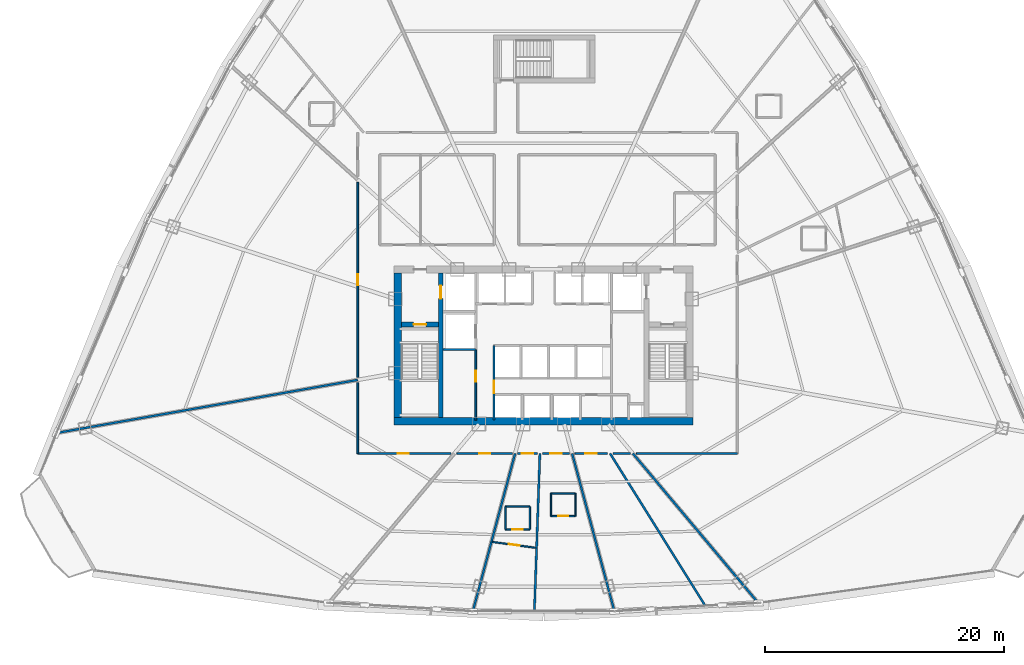
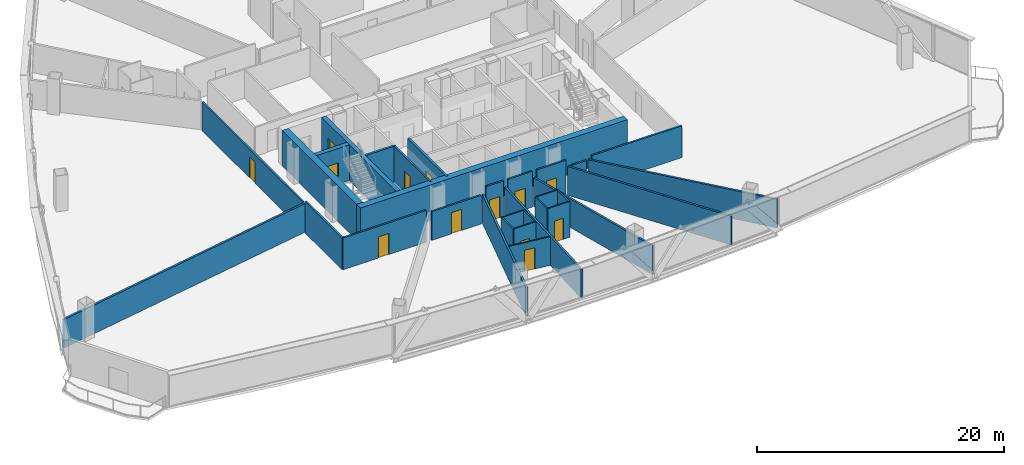
# One storey, part 30 of 38: 31 walls, 13 doors, 13 openings.
"""IFC4 building model written with IfcOpenShell, lengths in metres."""

from ifc_helpers import new_model, si_unit, direction, frame, frame_2d, origin, origin_with_axes, place, context, subcontext, project, spatial, rectangle, extrude, source, transform, mapped, material, layer, layer_set, type_object, element, fill, save


model = new_model("IFC4")

# Units and contexts
model_context = context("Model", 3, precision=1e-05, world=origin(), true_north=direction((0.0, 1.0)))
body_context = subcontext(model_context, "Body", "Model", "MODEL_VIEW")
ifc_project = project(units=[si_unit("LENGTHUNIT", "METRE"), si_unit("AREAUNIT", "SQUARE_METRE"), si_unit("VOLUMEUNIT", "CUBIC_METRE"), si_unit("PLANEANGLEUNIT", "RADIAN"), si_unit("MASSUNIT", "GRAM", prefix="KILO"), si_unit("THERMODYNAMICTEMPERATUREUNIT", "KELVIN"), si_unit("POWERUNIT", "WATT")], contexts=[model_context])

# Site, building, storey
site_placement = place(None, origin())
site = spatial("IfcSite", under=ifc_project, at=site_placement, CompositionType="ELEMENT")
building_placement = place(site_placement, origin())
building = spatial("IfcBuilding", under=site, at=building_placement, Name="Yunzhuo Pagoda Commons", CompositionType="ELEMENT")
storey_placement = place(building_placement, frame((0.0, 0.0, 81.179931640625)))
storey = spatial("IfcBuildingStorey", under=building, at=storey_placement, Name="L20", CompositionType="ELEMENT", Elevation=81.179931640625)

# Walls
ifc_material_1 = material(Name="Concrete C60", Category="concrete")
ifc_layer_1 = layer(ifc_material_1, 0.60009765625)
ifc_layer_set_1 = layer_set([ifc_layer_1], Name="Concrete C60")
wall_type_1 = type_object("IfcWallType", Name="W-C02 Mid Core Shear Wall 600", PredefinedType="SHEAR", material=ifc_layer_set_1)
wall_1_placement = place(storey_placement, frame((35.5, 27.5, 0.0), z_axis=(0.0, 0.0, 1.0), x_axis=(1.0, 0.0, 0.0)))
element("IfcWall", 1, at=wall_1_placement, inside=storey, type_object=wall_type_1, Name="L20 core shear wall S", PredefinedType="SHEAR", context=body_context, shape_type="SweptSolid", body=[
    extrude(rectangle(XDim=25.0, YDim=0.60009765625, at=frame_2d((12.5, 0.0))), origin(), (0.0, 0.0, 1.0), 3.5400390625),
])
wall_2_placement = place(storey_placement, frame((35.800048828125, 27.800048828125, 0.0), z_axis=(0.0, 0.0, 1.0), x_axis=(0.0, 1.0, 0.0)))
element("IfcWall", 2, at=wall_2_placement, inside=storey, type_object=wall_type_1, Name="L20 core shear wall W", PredefinedType="SHEAR", context=body_context, shape_type="SweptSolid", body=[
    extrude(rectangle(XDim=12.099853515625, YDim=0.60009765625, at=frame_2d((6.0498046875, 0.0))), origin(), (0.0, 0.0, 1.0), 3.5400390625),
])

# Wall, opening, door
ifc_material_2 = material(Name="Gypsum plasterboard on acoustic stud")
ifc_layer_2 = layer(ifc_material_2, 0.159912109375)
ifc_layer_set_2 = layer_set([ifc_layer_2], Name="Gypsum plasterboard on acoustic stud")
wall_type_2 = type_object("IfcWallType", Name="W-COR1 Tower Rated Corridor Wall 160", PredefinedType="PARTITIONING", material=ifc_layer_set_2)
wall_3_placement = place(storey_placement, frame((42.320068359375, 27.60009765625, 0.0), z_axis=(0.0, 0.0, 1.0), x_axis=(0.0, 1.0, 0.0)))
wall_3 = element("IfcWall", 3, at=wall_3_placement, inside=storey, type_object=wall_type_2, Name="L20 interior wall IW-L20-CSWE", PredefinedType="PARTITIONING", context=body_context, shape_type="SweptSolid", body=[
    extrude(rectangle(XDim=5.89990234375, YDim=0.159912109375, at=frame_2d((2.949951171875, 0.0))), origin(), (0.0, 0.0, 1.0), 3.5400390625),
])
opening_1_placement = place(wall_3_placement, frame((3.199951171875, 0.0, 0.0)))
opening_1 = element("IfcOpeningElement", 4, at=opening_1_placement, cuts=wall_3, Name="Opening D-11", PredefinedType="OPENING", context=body_context, shape_type="SweptSolid", body=[
    extrude(rectangle(XDim=0.93994140625, YDim=2.10009765625, at=frame_2d((0.469970703125, 1.050048828125))), frame((0.0, 0.08984375, 0.0), z_axis=(0.0, -1.0, 0.0), x_axis=(1.0, 0.0, 0.0)), (0.0, 0.0, 1.0), 0.179931640625),
])
ifc_material_3 = material(Name="Galvanized fire-resisting metal leaf")
door_type_1 = type_object("IfcDoorType", Name="D-11 Accessible Washroom Fire Door 940x2100", OperationType="NOTDEFINED", PredefinedType="DOOR", material=ifc_material_3)
shared_shape_1 = source(origin(), body_context, "Body", "SweptSolid", [
    extrude(rectangle(XDim=0.93994140625, YDim=2.10009765625, at=frame_2d((0.469970703125, 1.050048828125))), frame((0.0, 0.02490234375, 0.0), z_axis=(0.0, -1.0, 0.0), x_axis=(1.0, 0.0, 0.0)), (0.0, 0.0, 1.0), 0.050048828125),
])
door_1_placement = place(opening_1_placement, origin_with_axes())
door_1 = element("IfcDoor", 5, at=door_1_placement, inside=storey, type_object=door_type_1, Name="L20 core WC door", OperationType="SINGLE_SWING_LEFT", OverallHeight=2.10009765625, OverallWidth=0.93994140625, PredefinedType="DOOR", context=body_context, shape_type="MappedRepresentation", body=[
    mapped(shared_shape_1, transform((0.0, 0.0, 0.0), scale=1.0)),
])
fill(opening_1, door_1)

# Wall
wall_4_placement = place(storey_placement, frame((32.449951171875, 24.800048828125, 0.0), z_axis=(0.0, 0.0, 1.0), x_axis=(0.0, 1.0, 0.0)))
element("IfcWall", 6, at=wall_4_placement, inside=storey, type_object=wall_type_2, Name="L20 interior wall IW-L20-CWL01", PredefinedType="PARTITIONING", context=body_context, shape_type="SweptSolid", body=[
    extrude(rectangle(XDim=5.9345703125, YDim=0.159912109375, at=frame_2d((2.96728515625, 0.0))), origin(), (0.0, 0.0, 1.0), 3.14013671875),
])

# Wall, opening, door
wall_5_placement = place(storey_placement, frame((32.449951171875, 31.177978515625, 0.0), z_axis=(0.0, 0.0, 1.0), x_axis=(0.0, 1.0, 0.0)))
wall_5 = element("IfcWall", 7, at=wall_5_placement, inside=storey, type_object=wall_type_2, Name="L20 interior wall IW-L20-CWL02", PredefinedType="PARTITIONING", context=body_context, shape_type="SweptSolid", body=[
    extrude(rectangle(XDim=16.3037109375, YDim=0.159912109375, at=frame_2d((8.15185546875, 0.0))), origin(), (0.0, 0.0, 1.0), 2.840087890625),
])
opening_2_placement = place(wall_5_placement, frame((7.6767578125, 0.0, 0.0)))
opening_2 = element("IfcOpeningElement", 8, at=opening_2_placement, cuts=wall_5, Name="Opening D-06", PredefinedType="OPENING", context=body_context, shape_type="SweptSolid", body=[
    extrude(rectangle(XDim=0.949951171875, YDim=2.10009765625, at=frame_2d((0.47509765625, 1.050048828125))), frame((0.0, 0.08984375, 0.0), z_axis=(0.0, -1.0, 0.0), x_axis=(1.0, 0.0, 0.0)), (0.0, 0.0, 1.0), 0.179931640625),
])
door_type_2 = type_object("IfcDoorType", Name="D-06 Co-Living Suite Entrance Fire Door 950x2100", OperationType="NOTDEFINED", PredefinedType="DOOR", material=ifc_material_3)
shared_shape_2 = source(origin(), body_context, "Body", "SweptSolid", [
    extrude(rectangle(XDim=0.949951171875, YDim=2.10009765625, at=frame_2d((0.47509765625, 1.050048828125))), frame((0.0, 0.02490234375, 0.0), z_axis=(0.0, -1.0, 0.0), x_axis=(1.0, 0.0, 0.0)), (0.0, 0.0, 1.0), 0.050048828125),
])
door_2_placement = place(opening_2_placement, origin_with_axes())
door_2 = element("IfcDoor", 9, at=door_2_placement, inside=storey, type_object=door_type_2, Name="L20 Shared Resident Kitchen and Pantry door", OperationType="SINGLE_SWING_RIGHT", OverallHeight=2.10009765625, OverallWidth=0.949951171875, PredefinedType="DOOR", context=body_context, shape_type="MappedRepresentation", body=[
    mapped(shared_shape_2, transform((0.0, 0.0, 0.0), scale=1.0)),
])
fill(opening_2, door_2)

# Walls
wall_6_placement = place(storey_placement, frame((64.199951171875, 24.800048828125, 0.0), z_axis=(0.0, 0.0, 1.0), x_axis=(-1.0, 0.0, 0.0)))
element("IfcWall", 10, at=wall_6_placement, inside=storey, type_object=wall_type_2, Name="L20 interior wall IW-L20-CWL15", PredefinedType="PARTITIONING", context=body_context, shape_type="SweptSolid", body=[
    extrude(rectangle(XDim=8.44482421875, YDim=0.159912109375, at=frame_2d((4.222412109375, 0.0))), origin(), (0.0, 0.0, 1.0), 3.14013671875),
])
wall_7_placement = place(storey_placement, frame((55.248046875, 24.800048828125, 0.0), z_axis=(0.0, 0.0, 1.0), x_axis=(-1.0, 0.0, 0.0)))
element("IfcWall", 11, at=wall_7_placement, inside=storey, type_object=wall_type_2, Name="L20 interior wall IW-L20-CWL16", PredefinedType="PARTITIONING", context=body_context, shape_type="SweptSolid", body=[
    extrude(rectangle(XDim=1.42724609375, YDim=0.159912109375, at=frame_2d((0.713623046875, 0.0))), origin(), (0.0, 0.0, 1.0), 2.840087890625),
])

# Wall, opening, door
wall_8_placement = place(storey_placement, frame((53.341552734375, 24.800048828125, 0.0), z_axis=(0.0, 0.0, 1.0), x_axis=(-1.0, 0.0, 0.0)))
wall_8 = element("IfcWall", 12, at=wall_8_placement, inside=storey, type_object=wall_type_2, Name="L20 interior wall IW-L20-CWL17", PredefinedType="PARTITIONING", context=body_context, shape_type="SweptSolid", body=[
    extrude(rectangle(XDim=2.72900390625, YDim=0.159912109375, at=frame_2d((1.364501953125, 0.0))), origin(), (0.0, 0.0, 1.0), 3.5400390625),
])
opening_3_placement = place(wall_8_placement, frame((0.8935546875, 0.0, 0.0)))
opening_3 = element("IfcOpeningElement", 13, at=opening_3_placement, cuts=wall_8, Name="Opening D-06", PredefinedType="OPENING", context=body_context, shape_type="SweptSolid", body=[
    extrude(rectangle(XDim=0.949951171875, YDim=2.10009765625, at=frame_2d((0.47509765625, 1.050048828125))), frame((0.0, 0.08984375, 0.0), z_axis=(0.0, -1.0, 0.0), x_axis=(1.0, 0.0, 0.0)), (0.0, 0.0, 1.0), 0.179931640625),
])
door_3_placement = place(opening_3_placement, origin_with_axes())
door_3 = element("IfcDoor", 14, at=door_3_placement, inside=storey, type_object=door_type_2, Name="L20 unit 13 entrance door", OperationType="SINGLE_SWING_LEFT", OverallHeight=2.10009765625, OverallWidth=0.949951171875, PredefinedType="DOOR", context=body_context, shape_type="MappedRepresentation", body=[
    mapped(shared_shape_2, transform((0.0, 0.0, 0.0), scale=1.0)),
])
fill(opening_3, door_3)

wall_9_placement = place(storey_placement, frame((50.164794921875, 24.800048828125, 0.0), z_axis=(0.0, 0.0, 1.0), x_axis=(-1.0, 0.0, 0.0)))
wall_9 = element("IfcWall", 15, at=wall_9_placement, inside=storey, type_object=wall_type_2, Name="L20 interior wall IW-L20-CWL18", PredefinedType="PARTITIONING", context=body_context, shape_type="SweptSolid", body=[
    extrude(rectangle(XDim=2.255859375, YDim=0.159912109375, at=frame_2d((1.1279296875, 0.0))), origin(), (0.0, 0.0, 1.0), 3.5400390625),
])
opening_4_placement = place(wall_9_placement, frame((0.65283203125, 0.0, 0.0)))
opening_4 = element("IfcOpeningElement", 16, at=opening_4_placement, cuts=wall_9, Name="Opening D-06", PredefinedType="OPENING", context=body_context, shape_type="SweptSolid", body=[
    extrude(rectangle(XDim=0.949951171875, YDim=2.10009765625, at=frame_2d((0.47509765625, 1.050048828125))), frame((0.0, 0.08984375, 0.0), z_axis=(0.0, -1.0, 0.0), x_axis=(1.0, 0.0, 0.0)), (0.0, 0.0, 1.0), 0.179931640625),
])
door_4_placement = place(opening_4_placement, origin_with_axes())
door_4 = element("IfcDoor", 17, at=door_4_placement, inside=storey, type_object=door_type_2, Name="L20 unit 12 entrance door", OperationType="SINGLE_SWING_RIGHT", OverallHeight=2.10009765625, OverallWidth=0.949951171875, PredefinedType="DOOR", context=body_context, shape_type="MappedRepresentation", body=[
    mapped(shared_shape_2, transform((0.0, 0.0, 0.0), scale=1.0)),
])
fill(opening_4, door_4)

wall_10_placement = place(storey_placement, frame((47.468994140625, 24.800048828125, 0.0), z_axis=(0.0, 0.0, 1.0), x_axis=(-1.0, 0.0, 0.0)))
wall_10 = element("IfcWall", 18, at=wall_10_placement, inside=storey, type_object=wall_type_2, Name="L20 interior wall IW-L20-CWL19", PredefinedType="PARTITIONING", context=body_context, shape_type="SweptSolid", body=[
    extrude(rectangle(XDim=1.6337890625, YDim=0.159912109375, at=frame_2d((0.81689453125, 0.0))), origin(), (0.0, 0.0, 1.0), 3.5400390625),
])
opening_5_placement = place(wall_10_placement, frame((0.341796875, 0.0, 0.0)))
opening_5 = element("IfcOpeningElement", 19, at=opening_5_placement, cuts=wall_10, Name="Opening D-06", PredefinedType="OPENING", context=body_context, shape_type="SweptSolid", body=[
    extrude(rectangle(XDim=0.949951171875, YDim=2.10009765625, at=frame_2d((0.47509765625, 1.050048828125))), frame((0.0, 0.08984375, 0.0), z_axis=(0.0, -1.0, 0.0), x_axis=(1.0, 0.0, 0.0)), (0.0, 0.0, 1.0), 0.179931640625),
])
door_5_placement = place(opening_5_placement, origin_with_axes())
door_5 = element("IfcDoor", 20, at=door_5_placement, inside=storey, type_object=door_type_2, Name="L20 unit 11 entrance door", OperationType="SINGLE_SWING_LEFT", OverallHeight=2.10009765625, OverallWidth=0.949951171875, PredefinedType="DOOR", context=body_context, shape_type="MappedRepresentation", body=[
    mapped(shared_shape_2, transform((0.0, 0.0, 0.0), scale=1.0)),
])
fill(opening_5, door_5)

wall_11_placement = place(storey_placement, frame((45.387451171875, 24.800048828125, 0.0), z_axis=(0.0, 0.0, 1.0), x_axis=(-1.0, 0.0, 0.0)))
wall_11 = element("IfcWall", 21, at=wall_11_placement, inside=storey, type_object=wall_type_2, Name="L20 interior wall IW-L20-CWL20", PredefinedType="PARTITIONING", context=body_context, shape_type="SweptSolid", body=[
    extrude(rectangle(XDim=4.635498046875, YDim=0.159912109375, at=frame_2d((2.31787109375, 0.0))), origin(), (0.0, 0.0, 1.0), 2.840087890625),
])
opening_6_placement = place(wall_11_placement, frame((1.8388671875, 0.0, 0.0)))
opening_6 = element("IfcOpeningElement", 22, at=opening_6_placement, cuts=wall_11, Name="Opening D-06", PredefinedType="OPENING", context=body_context, shape_type="SweptSolid", body=[
    extrude(rectangle(XDim=0.949951171875, YDim=2.10009765625, at=frame_2d((0.47509765625, 1.050048828125))), frame((0.0, 0.08984375, 0.0), z_axis=(0.0, -1.0, 0.0), x_axis=(1.0, 0.0, 0.0)), (0.0, 0.0, 1.0), 0.179931640625),
])
door_6_placement = place(opening_6_placement, origin_with_axes())
door_6 = element("IfcDoor", 23, at=door_6_placement, inside=storey, type_object=door_type_2, Name="L20 unit 10 entrance door", OperationType="SINGLE_SWING_RIGHT", OverallHeight=2.10009765625, OverallWidth=0.949951171875, PredefinedType="DOOR", context=body_context, shape_type="MappedRepresentation", body=[
    mapped(shared_shape_2, transform((0.0, 0.0, 0.0), scale=1.0)),
])
fill(opening_6, door_6)

wall_12_placement = place(storey_placement, frame((40.244873046875, 24.800048828125, 0.0), z_axis=(0.0, 0.0, 1.0), x_axis=(-1.0, 0.0, 0.0)))
wall_12 = element("IfcWall", 24, at=wall_12_placement, inside=storey, type_object=wall_type_2, Name="L20 interior wall IW-L20-CWL21", PredefinedType="PARTITIONING", context=body_context, shape_type="SweptSolid", body=[
    extrude(rectangle(XDim=7.794921875, YDim=0.159912109375, at=frame_2d((3.8974609375, 0.0))), origin(), (0.0, 0.0, 1.0), 3.14013671875),
])
opening_7_placement = place(wall_12_placement, frame((3.5087890625, 0.0, 0.0)))
opening_7 = element("IfcOpeningElement", 25, at=opening_7_placement, cuts=wall_12, Name="Opening D-06", PredefinedType="OPENING", context=body_context, shape_type="SweptSolid", body=[
    extrude(rectangle(XDim=0.949951171875, YDim=2.10009765625, at=frame_2d((0.47509765625, 1.050048828125))), frame((0.0, 0.08984375, 0.0), z_axis=(0.0, -1.0, 0.0), x_axis=(1.0, 0.0, 0.0)), (0.0, 0.0, 1.0), 0.179931640625),
])
door_7_placement = place(opening_7_placement, origin_with_axes())
door_7 = element("IfcDoor", 26, at=door_7_placement, inside=storey, type_object=door_type_2, Name="L20 unit 09 entrance door", OperationType="SINGLE_SWING_LEFT", OverallHeight=2.10009765625, OverallWidth=0.949951171875, PredefinedType="DOOR", context=body_context, shape_type="MappedRepresentation", body=[
    mapped(shared_shape_2, transform((0.0, 0.0, 0.0), scale=1.0)),
])
fill(opening_7, door_7)

ifc_layer_3 = layer(ifc_material_2, 0.1201171875)
ifc_layer_set_3 = layer_set([ifc_layer_3], Name="Gypsum plasterboard on acoustic stud")
wall_type_3 = type_object("IfcWallType", Name="W-PRT1 Suite & Bathroom Partition 120", PredefinedType="PARTITIONING", material=ifc_layer_set_3)
wall_13_placement = place(storey_placement, frame((44.7958984375, 18.4609375, 0.0), z_axis=(0.0, 0.0, 1.0), x_axis=(1.0, 0.0, 0.0)))
wall_13 = element("IfcWall", 27, at=wall_13_placement, inside=storey, type_object=wall_type_3, Name="L20 interior wall IW-L20-B11S", PredefinedType="PARTITIONING", context=body_context, shape_type="SweptSolid", body=[
    extrude(rectangle(XDim=2.050048828125, YDim=0.1201171875, at=frame_2d((1.02490234375, 0.0))), origin(), (0.0, 0.0, 1.0), 3.5400390625),
])
opening_8_placement = place(wall_13_placement, frame((0.60009765625, 0.0, 0.0)))
opening_8 = element("IfcOpeningElement", 28, at=opening_8_placement, cuts=wall_13, Name="Opening D-05", PredefinedType="OPENING", context=body_context, shape_type="SweptSolid", body=[
    extrude(rectangle(XDim=0.85009765625, YDim=2.10009765625, at=frame_2d((0.425048828125, 1.050048828125))), frame((0.0, 0.070068359375, 0.0), z_axis=(0.0, -1.0, 0.0), x_axis=(1.0, 0.0, 0.0)), (0.0, 0.0, 1.0), 0.14013671875),
])
ifc_material_4 = material(Name="Powder-coated aluminium and timber acoustic leaf", Category="wood")
door_type_3 = type_object("IfcDoorType", Name="D-05 En-Suite Bathroom Door 850x2100", OperationType="NOTDEFINED", PredefinedType="DOOR", material=ifc_material_4)
shared_shape_3 = source(origin(), body_context, "Body", "SweptSolid", [
    extrude(rectangle(XDim=0.85009765625, YDim=2.10009765625, at=frame_2d((0.425048828125, 1.050048828125))), frame((0.0, 0.02490234375, 0.0), z_axis=(0.0, -1.0, 0.0), x_axis=(1.0, 0.0, 0.0)), (0.0, 0.0, 1.0), 0.050048828125),
])
door_8_placement = place(opening_8_placement, frame((0.85009765625, 0.0, 0.0), z_axis=(0.0, 0.0, 1.0), x_axis=(-1.0, 0.0, 0.0)))
door_8 = element("IfcDoor", 29, at=door_8_placement, inside=storey, type_object=door_type_3, Name="L20 unit 11 bathroom door", OperationType="SINGLE_SWING_LEFT", OverallHeight=2.10009765625, OverallWidth=0.85009765625, PredefinedType="DOOR", context=body_context, shape_type="MappedRepresentation", body=[
    mapped(shared_shape_3, transform((0.0, 0.0, 0.0), scale=1.0)),
])
fill(opening_8, door_8)

# Walls
wall_14_placement = place(storey_placement, frame((46.845947265625, 18.4609375, 0.0), z_axis=(0.0, 0.0, 1.0), x_axis=(0.0, 1.0, 0.0)))
element("IfcWall", 30, at=wall_14_placement, inside=storey, type_object=wall_type_3, Name="L20 interior wall IW-L20-B11E", PredefinedType="PARTITIONING", context=body_context, shape_type="SweptSolid", body=[
    extrude(rectangle(XDim=1.900146484375, YDim=0.1201171875, at=frame_2d((0.9501953125, 0.0))), origin(), (0.0, 0.0, 1.0), 3.5400390625),
])
wall_15_placement = place(storey_placement, frame((46.845947265625, 20.361083984375, 0.0), z_axis=(0.0, 0.0, 1.0), x_axis=(-1.0, 0.0, 0.0)))
element("IfcWall", 31, at=wall_15_placement, inside=storey, type_object=wall_type_3, Name="L20 interior wall IW-L20-B11N", PredefinedType="PARTITIONING", context=body_context, shape_type="SweptSolid", body=[
    extrude(rectangle(XDim=2.050048828125, YDim=0.1201171875, at=frame_2d((1.02490234375, 0.0))), origin(), (0.0, 0.0, 1.0), 3.5400390625),
])
wall_16_placement = place(storey_placement, frame((44.7958984375, 20.361083984375, 0.0), z_axis=(0.0, 0.0, 1.0), x_axis=(0.0, -1.0, 0.0)))
element("IfcWall", 32, at=wall_16_placement, inside=storey, type_object=wall_type_3, Name="L20 interior wall IW-L20-B11W", PredefinedType="PARTITIONING", context=body_context, shape_type="SweptSolid", body=[
    extrude(rectangle(XDim=1.900146484375, YDim=0.1201171875, at=frame_2d((0.9501953125, 0.0))), origin(), (0.0, 0.0, 1.0), 3.5400390625),
])

# Wall, opening, door
wall_17_placement = place(storey_placement, frame((43.69580078125, 17.405029296875, 0.0), z_axis=(0.0, 0.0, 1.0), x_axis=(0.99099005791, -0.133935451329, 0.0)))
wall_17 = element("IfcWall", 33, at=wall_17_placement, inside=storey, type_object=wall_type_3, Name="L20 interior wall IW-L20-CLB11", PredefinedType="PARTITIONING", context=body_context, shape_type="SweptSolid", body=[
    extrude(rectangle(XDim=3.691162109375, YDim=0.1201171875, at=frame_2d((1.845703125, 0.0))), origin(), (0.0, 0.0, 1.0), 2.840087890625),
])
opening_9_placement = place(wall_17_placement, frame((1.385498046875, 0.0, 0.0)))
opening_9 = element("IfcOpeningElement", 34, at=opening_9_placement, cuts=wall_17, Name="Opening D-04", PredefinedType="OPENING", context=body_context, shape_type="SweptSolid", body=[
    extrude(rectangle(XDim=0.919921875, YDim=2.10009765625, at=frame_2d((0.4599609375, 1.050048828125))), frame((0.0, 0.070068359375, 0.0), z_axis=(0.0, -1.0, 0.0), x_axis=(1.0, 0.0, 0.0)), (0.0, 0.0, 1.0), 0.14013671875),
])
door_type_4 = type_object("IfcDoorType", Name="D-04 Bedroom & Study Interior Door 920x2100", OperationType="NOTDEFINED", PredefinedType="DOOR", material=ifc_material_4)
shared_shape_4 = source(origin(), body_context, "Body", "SweptSolid", [
    extrude(rectangle(XDim=0.919921875, YDim=2.10009765625, at=frame_2d((0.4599609375, 1.050048828125))), frame((0.0, 0.02490234375, 0.0), z_axis=(0.0, -1.0, 0.0), x_axis=(1.0, 0.0, 0.0)), (0.0, 0.0, 1.0), 0.050048828125),
])
door_9_placement = place(opening_9_placement, origin_with_axes())
door_9 = element("IfcDoor", 35, at=door_9_placement, inside=storey, type_object=door_type_4, Name="L20 suite 11 bedroom door", OperationType="SINGLE_SWING_LEFT", OverallHeight=2.10009765625, OverallWidth=0.919921875, PredefinedType="DOOR", context=body_context, shape_type="MappedRepresentation", body=[
    mapped(shared_shape_4, transform((0.0, 0.0, 0.0), scale=1.0)),
])
fill(opening_9, door_9)

wall_18_placement = place(storey_placement, frame((48.615966796875, 19.56591796875, 0.0), z_axis=(0.0, 0.0, 1.0), x_axis=(1.0, 0.0, 0.0)))
wall_18 = element("IfcWall", 36, at=wall_18_placement, inside=storey, type_object=wall_type_3, Name="L20 interior wall IW-L20-B12S", PredefinedType="PARTITIONING", context=body_context, shape_type="SweptSolid", body=[
    extrude(rectangle(XDim=2.050048828125, YDim=0.1201171875, at=frame_2d((1.02490234375, 0.0))), origin(), (0.0, 0.0, 1.0), 3.5400390625),
])
opening_10_placement = place(wall_18_placement, frame((0.60009765625, 0.0, 0.0)))
opening_10 = element("IfcOpeningElement", 37, at=opening_10_placement, cuts=wall_18, Name="Opening D-05", PredefinedType="OPENING", context=body_context, shape_type="SweptSolid", body=[
    extrude(rectangle(XDim=0.85009765625, YDim=2.10009765625, at=frame_2d((0.425048828125, 1.050048828125))), frame((0.0, 0.070068359375, 0.0), z_axis=(0.0, -1.0, 0.0), x_axis=(1.0, 0.0, 0.0)), (0.0, 0.0, 1.0), 0.14013671875),
])
door_10_placement = place(opening_10_placement, frame((0.85009765625, 0.0, 0.0), z_axis=(0.0, 0.0, 1.0), x_axis=(-1.0, 0.0, 0.0)))
door_10 = element("IfcDoor", 38, at=door_10_placement, inside=storey, type_object=door_type_3, Name="L20 unit 12 bathroom door", OperationType="SINGLE_SWING_RIGHT", OverallHeight=2.10009765625, OverallWidth=0.85009765625, PredefinedType="DOOR", context=body_context, shape_type="MappedRepresentation", body=[
    mapped(shared_shape_3, transform((0.0, 0.0, 0.0), scale=1.0)),
])
fill(opening_10, door_10)

# Walls
wall_19_placement = place(storey_placement, frame((50.666015625, 19.56591796875, 0.0), z_axis=(0.0, 0.0, 1.0), x_axis=(0.0, 1.0, 0.0)))
element("IfcWall", 39, at=wall_19_placement, inside=storey, type_object=wall_type_3, Name="L20 interior wall IW-L20-B12E", PredefinedType="PARTITIONING", context=body_context, shape_type="SweptSolid", body=[
    extrude(rectangle(XDim=1.900146484375, YDim=0.1201171875, at=frame_2d((0.9501953125, 0.0))), origin(), (0.0, 0.0, 1.0), 3.5400390625),
])
wall_20_placement = place(storey_placement, frame((50.666015625, 21.466064453125, 0.0), z_axis=(0.0, 0.0, 1.0), x_axis=(-1.0, 0.0, 0.0)))
element("IfcWall", 40, at=wall_20_placement, inside=storey, type_object=wall_type_3, Name="L20 interior wall IW-L20-B12N", PredefinedType="PARTITIONING", context=body_context, shape_type="SweptSolid", body=[
    extrude(rectangle(XDim=2.050048828125, YDim=0.1201171875, at=frame_2d((1.02490234375, 0.0))), origin(), (0.0, 0.0, 1.0), 3.5400390625),
])
wall_21_placement = place(storey_placement, frame((48.615966796875, 21.466064453125, 0.0), z_axis=(0.0, 0.0, 1.0), x_axis=(0.0, -1.0, 0.0)))
element("IfcWall", 41, at=wall_21_placement, inside=storey, type_object=wall_type_3, Name="L20 interior wall IW-L20-B12W", PredefinedType="PARTITIONING", context=body_context, shape_type="SweptSolid", body=[
    extrude(rectangle(XDim=1.900146484375, YDim=0.1201171875, at=frame_2d((0.9501953125, 0.0))), origin(), (0.0, 0.0, 1.0), 3.5400390625),
])
ifc_layer_4 = layer(ifc_material_2, 0.179931640625)
ifc_layer_set_4 = layer_set([ifc_layer_4], Name="Gypsum plasterboard on acoustic stud")
wall_type_4 = type_object("IfcWallType", Name="W-PRT2 Acoustic Unit Demising Wall 180", PredefinedType="PARTITIONING", material=ifc_layer_set_4)
wall_22_placement = place(storey_placement, frame((32.449951171875, 30.9580078125, 0.0), z_axis=(0.0, 0.0, 1.0), x_axis=(-0.984808048641, -0.173646501066, 0.0)))
element("IfcWall", 42, at=wall_22_placement, inside=storey, type_object=wall_type_4, Name="L20 interior wall IW-L20-RAD09", PredefinedType="PARTITIONING", context=body_context, shape_type="SweptSolid", body=[
    extrude(rectangle(XDim=25.58154296875, YDim=0.179931640625, at=frame_2d((12.790771484375, 0.0))), origin(), (0.0, 0.0, 1.0), 2.840087890625),
])
wall_23_placement = place(storey_placement, frame((45.615234375, 24.800048828125, 0.0), z_axis=(0.0, 0.0, 1.0), x_axis=(-0.25881675816, -0.965926439071, 0.0)))
element("IfcWall", 43, at=wall_23_placement, inside=storey, type_object=wall_type_4, Name="L20 interior wall IW-L20-RAD11", PredefinedType="PARTITIONING", context=body_context, shape_type="SweptSolid", body=[
    extrude(rectangle(XDim=13.66455078125, YDim=0.179931640625, at=frame_2d((6.832275390625, 0.0))), origin(), (0.0, 0.0, 1.0), 2.840087890625),
])
wall_24_placement = place(storey_placement, frame((47.689208984375, 24.800048828125, 0.0), z_axis=(0.0, 0.0, 1.0), x_axis=(-0.034900944933, -0.999390776445, 0.0)))
element("IfcWall", 44, at=wall_24_placement, inside=storey, type_object=wall_type_4, Name="L20 interior wall IW-L20-RAD12", PredefinedType="PARTITIONING", context=body_context, shape_type="SweptSolid", body=[
    extrude(rectangle(XDim=13.20703125, YDim=0.179931640625, at=frame_2d((6.603515625, 0.0))), origin(), (0.0, 0.0, 1.0), 2.840087890625),
])
wall_25_placement = place(storey_placement, frame((50.384765625, 24.800048828125, 0.0), z_axis=(0.0, 0.0, 1.0), x_axis=(0.25881675816, -0.965926439071, 0.0)))
element("IfcWall", 45, at=wall_25_placement, inside=storey, type_object=wall_type_4, Name="L20 interior wall IW-L20-RAD13", PredefinedType="PARTITIONING", context=body_context, shape_type="SweptSolid", body=[
    extrude(rectangle(XDim=13.66455078125, YDim=0.179931640625, at=frame_2d((6.832275390625, 0.0))), origin(), (0.0, 0.0, 1.0), 2.840087890625),
])
wall_26_placement = place(storey_placement, frame((53.561279296875, 24.800048828125, 0.0), z_axis=(0.0, 0.0, 1.0), x_axis=(0.529927477017, -0.848042964184, 0.0)))
element("IfcWall", 46, at=wall_26_placement, inside=storey, type_object=wall_type_4, Name="L20 interior wall IW-L20-RAD14", PredefinedType="PARTITIONING", context=body_context, shape_type="SweptSolid", body=[
    extrude(rectangle(XDim=15.047607421875, YDim=0.179931640625, at=frame_2d((7.52392578125, 0.0))), origin(), (0.0, 0.0, 1.0), 2.840087890625),
])
wall_27_placement = place(storey_placement, frame((55.468017578125, 24.800048828125, 0.0), z_axis=(0.0, 0.0, 1.0), x_axis=(0.642790086939, -0.76604236445, 0.0)))
element("IfcWall", 47, at=wall_27_placement, inside=storey, type_object=wall_type_4, Name="L20 interior wall IW-L20-RAD15", PredefinedType="PARTITIONING", context=body_context, shape_type="SweptSolid", body=[
    extrude(rectangle(XDim=16.325927734375, YDim=0.179931640625, at=frame_2d((8.1630859375, 0.0))), origin(), (0.0, 0.0, 1.0), 2.840087890625),
])

# Wall, opening, door
ifc_layer_5 = layer(ifc_material_1, 0.39990234375)
ifc_layer_set_5 = layer_set([ifc_layer_5], Name="Concrete C60")
wall_type_5 = type_object("IfcWallType", Name="W-S01 Internal Core Shear Web 400", PredefinedType="SHEAR", material=ifc_layer_set_5)
wall_28_placement = place(storey_placement, frame((39.39990234375, 27.800048828125, 0.0), z_axis=(0.0, 0.0, 1.0), x_axis=(0.0, 1.0, 0.0)))
wall_28 = element("IfcWall", 48, at=wall_28_placement, inside=storey, type_object=wall_type_5, Name="L20 core shear wall WEBW", PredefinedType="SHEAR", context=body_context, shape_type="SweptSolid", body=[
    extrude(rectangle(XDim=12.099853515625, YDim=0.39990234375, at=frame_2d((6.0498046875, 0.0))), origin(), (0.0, 0.0, 1.0), 3.5400390625),
])
opening_11_placement = place(wall_28_placement, frame((9.949951171875, 0.0, 0.0)))
opening_11 = element("IfcOpeningElement", 49, at=opening_11_placement, cuts=wall_28, Name="Opening LD-01", PredefinedType="OPENING", context=body_context, shape_type="SweptSolid", body=[
    extrude(rectangle(XDim=1.10009765625, YDim=2.10009765625, at=frame_2d((0.550048828125, 1.050048828125))), frame((0.0, 0.2099609375, 0.0), z_axis=(0.0, -1.0, 0.0), x_axis=(1.0, 0.0, 0.0)), (0.0, 0.0, 1.0), 0.419921875),
])
door_type_5 = type_object("IfcDoorType", Name="LD-01 Firefighting Lift Landing Door 1100x2100", OperationType="DOUBLE_DOOR_SLIDING", PredefinedType="DOOR", material=ifc_material_3)
shared_shape_5 = source(origin(), body_context, "Body", "SweptSolid", [
    extrude(rectangle(XDim=1.10009765625, YDim=2.10009765625, at=frame_2d((0.550048828125, 1.050048828125))), frame((0.0, 0.02490234375, 0.0), z_axis=(0.0, -1.0, 0.0), x_axis=(1.0, 0.0, 0.0)), (0.0, 0.0, 1.0), 0.050048828125),
])
door_11_placement = place(opening_11_placement, frame((1.10009765625, 0.0, 0.0), z_axis=(0.0, 0.0, 1.0), x_axis=(-1.0, 0.0, 0.0)))
door_11 = element("IfcDoor", 50, at=door_11_placement, inside=storey, type_object=door_type_5, Name="L20 Firefighting lift FL-1 landing door", OperationType="DOUBLE_DOOR_SLIDING", OverallHeight=2.10009765625, OverallWidth=1.10009765625, PredefinedType="DOOR", context=body_context, shape_type="MappedRepresentation", body=[
    mapped(shared_shape_5, transform((0.0, 0.0, 0.0), scale=1.0)),
])
fill(opening_11, door_11)

wall_29_placement = place(storey_placement, frame((36.10009765625, 35.60009765625, 0.0), z_axis=(0.0, 0.0, 1.0), x_axis=(1.0, 0.0, 0.0)))
wall_29 = element("IfcWall", 51, at=wall_29_placement, inside=storey, type_object=wall_type_5, Name="L20 core shear wall STW", PredefinedType="SHEAR", context=body_context, shape_type="SweptSolid", body=[
    extrude(rectangle(XDim=3.099853515625, YDim=0.39990234375, at=frame_2d((1.5498046875, 0.0))), origin(), (0.0, 0.0, 1.0), 3.5400390625),
])
opening_12_placement = place(wall_29_placement, frame((1.02001953125, 0.0, 0.0)))
opening_12 = element("IfcOpeningElement", 52, at=opening_12_placement, cuts=wall_29, Name="Opening D-01", PredefinedType="OPENING", context=body_context, shape_type="SweptSolid", body=[
    extrude(rectangle(XDim=1.050048828125, YDim=2.10009765625, at=frame_2d((0.52490234375, 1.050048828125))), frame((0.0, 0.2099609375, 0.0), z_axis=(0.0, -1.0, 0.0), x_axis=(1.0, 0.0, 0.0)), (0.0, 0.0, 1.0), 0.419921875),
])
door_type_6 = type_object("IfcDoorType", Name="D-01 Smokeproof Stair Fire Door 1050x2100", OperationType="NOTDEFINED", PredefinedType="DOOR", material=ifc_material_3)
shared_shape_6 = source(origin(), body_context, "Body", "SweptSolid", [
    extrude(rectangle(XDim=1.050048828125, YDim=2.10009765625, at=frame_2d((0.52490234375, 1.050048828125))), frame((0.0, 0.02490234375, 0.0), z_axis=(0.0, -1.0, 0.0), x_axis=(1.0, 0.0, 0.0)), (0.0, 0.0, 1.0), 0.050048828125),
])
door_12_placement = place(opening_12_placement, frame((1.050048828125, 0.0, 0.0), z_axis=(0.0, 0.0, 1.0), x_axis=(-1.0, 0.0, 0.0)))
door_12 = element("IfcDoor", 53, at=door_12_placement, inside=storey, type_object=door_type_6, Name="L20 Stair ST1 fire door", OperationType="SINGLE_SWING_LEFT", OverallHeight=2.10009765625, OverallWidth=1.050048828125, PredefinedType="DOOR", context=body_context, shape_type="MappedRepresentation", body=[
    mapped(shared_shape_6, transform((0.0, 0.0, 0.0), scale=1.0)),
])
fill(opening_12, door_12)

# Wall
ifc_material_5 = material(Name="Concrete C40", Category="concrete")
ifc_layer_6 = layer(ifc_material_5, 0.199951171875)
ifc_layer_set_6 = layer_set([ifc_layer_6], Name="Concrete C40")
wall_type_6 = type_object("IfcWallType", Name="W-SHF Shaft & Stair Enclosure Wall 200", PredefinedType="SOLIDWALL", material=ifc_layer_set_6)
wall_30_placement = place(storey_placement, frame((39.60009765625, 33.5, 0.0), z_axis=(0.0, 0.0, 1.0), x_axis=(1.0, 0.0, 0.0)))
element("IfcWall", 54, at=wall_30_placement, inside=storey, type_object=wall_type_6, Name="L20 interior wall IW-L20-SL1S", PredefinedType="SOLIDWALL", context=body_context, shape_type="SweptSolid", body=[
    extrude(rectangle(XDim=2.719970703125, YDim=0.199951171875, at=frame_2d((1.35986328125, 0.0))), origin(), (0.0, 0.0, 1.0), 3.5400390625),
])

# Wall, opening, door
wall_31_placement = place(storey_placement, frame((43.85009765625, 27.60009765625, 0.0), z_axis=(0.0, 0.0, 1.0), x_axis=(0.0, 1.0, 0.0)))
wall_31 = element("IfcWall", 55, at=wall_31_placement, inside=storey, type_object=wall_type_6, Name="L20 interior wall IW-L20-PLMW", PredefinedType="SOLIDWALL", context=body_context, shape_type="SweptSolid", body=[
    extrude(rectangle(XDim=6.219970703125, YDim=0.199951171875, at=frame_2d((3.10986328125, 0.0))), origin(), (0.0, 0.0, 1.0), 3.5400390625),
])
opening_13_placement = place(wall_31_placement, frame((2.25, 0.0, 0.0)))
opening_13 = element("IfcOpeningElement", 56, at=opening_13_placement, cuts=wall_31, Name="Opening D-02", PredefinedType="OPENING", context=body_context, shape_type="SweptSolid", body=[
    extrude(rectangle(XDim=1.050048828125, YDim=2.10009765625, at=frame_2d((0.52490234375, 1.050048828125))), frame((0.0, 0.10986328125, 0.0), z_axis=(0.0, -1.0, 0.0), x_axis=(1.0, 0.0, 0.0)), (0.0, 0.0, 1.0), 0.219970703125),
])
door_type_7 = type_object("IfcDoorType", Name="D-02 Firefighting Lobby & Refuge Fire Door 1050x2100", OperationType="NOTDEFINED", PredefinedType="DOOR", material=ifc_material_3)
door_13_placement = place(opening_13_placement, frame((1.050048828125, 0.0, 0.0), z_axis=(0.0, 0.0, 1.0), x_axis=(-1.0, 0.0, 0.0)))
door_13 = element("IfcDoor", 57, at=door_13_placement, inside=storey, type_object=door_type_7, Name="L20 High-bank hall west door", OperationType="SINGLE_SWING_LEFT", OverallHeight=2.10009765625, OverallWidth=1.050048828125, PredefinedType="DOOR", context=body_context, shape_type="MappedRepresentation", body=[
    mapped(shared_shape_6, transform((0.0, 0.0, 0.0), scale=1.0)),
])
fill(opening_13, door_13)

save(model, "model.ifc")
